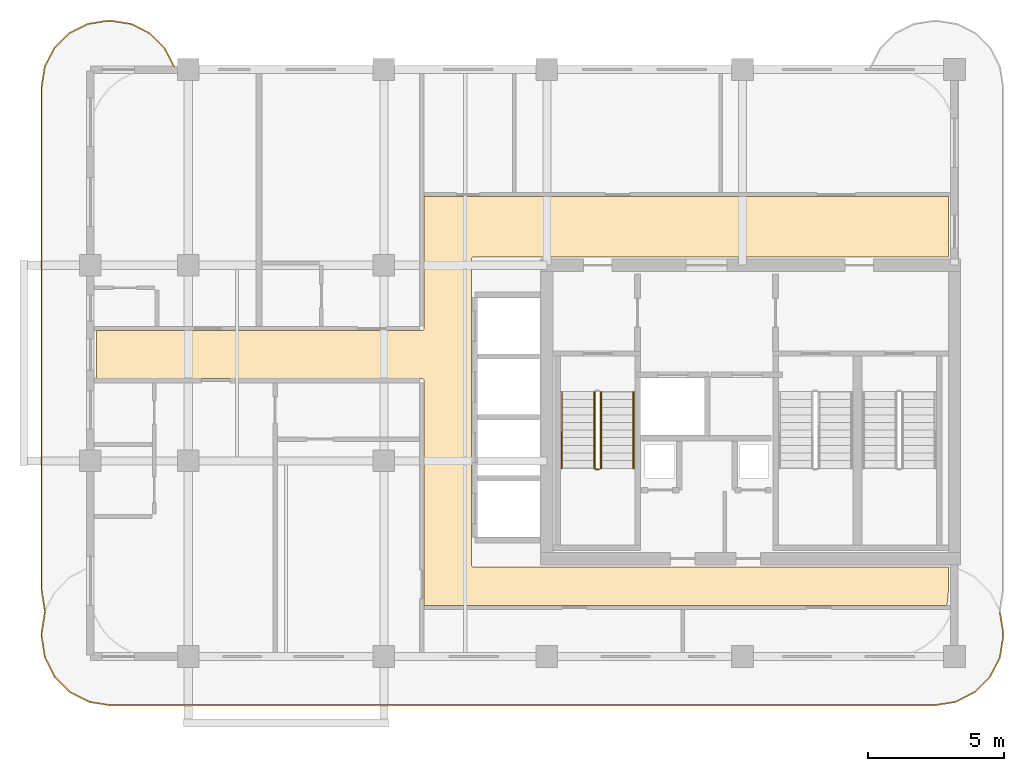
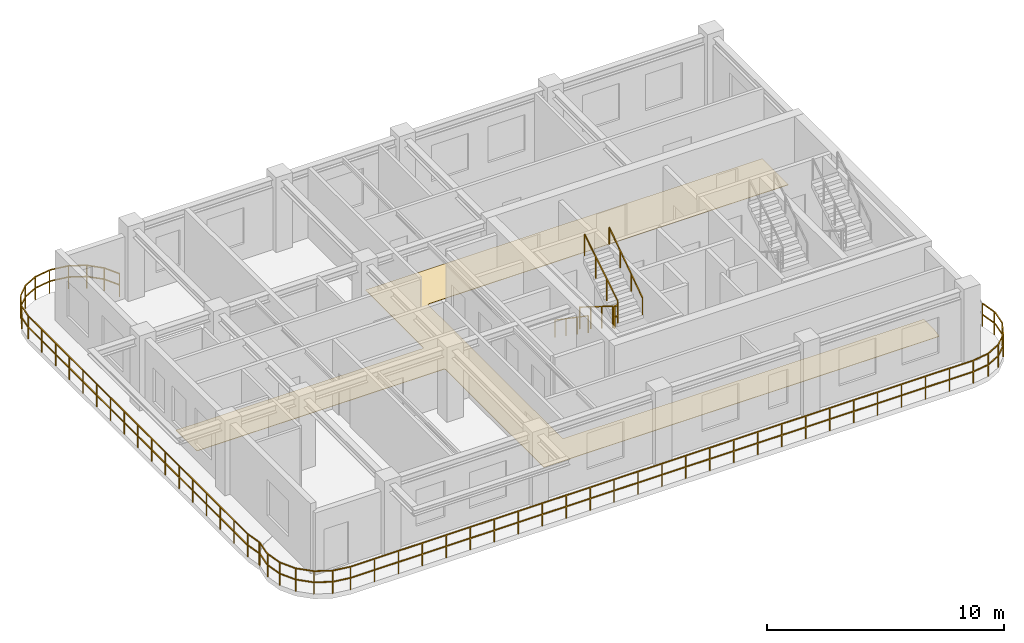
# One storey, part 6 of 7: 7 railings, 1 covering.
"""IFC4 building model written with IfcOpenShell, lengths in metres."""

from ifc_helpers import new_model, si_unit, derived_unit, direction, frame, origin, origin_2d, place, context, subcontext, project, spatial, polyline, rectangle, outline, extrude, material, layer, layer_set, type_object, element, save


model = new_model("IFC4")

# Units and contexts
model_context = context("Model", 3, precision=1e-05, world=origin(), true_north=direction((0.0, 1.0)))
body_context = subcontext(model_context, "Body", "Model", "MODEL_VIEW")
ifc_project = project(units=[si_unit("LENGTHUNIT", "METRE"), si_unit("AREAUNIT", "SQUARE_METRE"), si_unit("VOLUMEUNIT", "CUBIC_METRE"), si_unit("PLANEANGLEUNIT", "RADIAN"), si_unit("MASSUNIT", "GRAM", prefix="KILO"), si_unit("THERMODYNAMICTEMPERATUREUNIT", "KELVIN"), si_unit("POWERUNIT", "WATT"), derived_unit("THERMALTRANSMITTANCEUNIT", [(si_unit("POWERUNIT", "WATT"), 1), (si_unit("AREAUNIT", "SQUARE_METRE"), -1), (si_unit("THERMODYNAMICTEMPERATUREUNIT", "KELVIN"), -1)])], contexts=[model_context])

# Site, building, storey
site_placement = place(None, origin())
site = spatial("IfcSite", under=ifc_project, at=site_placement, CompositionType="ELEMENT")
building_placement = place(site_placement, origin())
building = spatial("IfcBuilding", under=site, at=building_placement, Name="Zahravan Archway Hotel and Residences", CompositionType="ELEMENT")
storey_placement = place(building_placement, frame((0.0, 0.0, 259.64990234375)))
storey = spatial("IfcBuildingStorey", under=building, at=storey_placement, Name="L65", CompositionType="ELEMENT", Elevation=259.64990234375)

# Covering
ifc_material_1 = material(Name="Engineered Walnut Parquet Flooring")
ifc_layer = layer(ifc_material_1, 0.02197265625, Name="Engineered Walnut Parquet Flooring")
ifc_layer_set = layer_set([ifc_layer], Name="Engineered Walnut Parquet Flooring")
covering_type = type_object("IfcCoveringType", Name="COV-FLR-TIMB", PredefinedType="FLOORING", material=ifc_layer_set)
covering_placement = place(storey_placement, origin())
element("IfcCovering", 1, at=covering_placement, inside=storey, type_object=covering_type, Name="L65 Circulation Floor Finish", PredefinedType="FLOORING", context=body_context, shape_type="SweptSolid", body=[
    extrude(outline(polyline([(30.215576171875, 11.991455078125), (30.256591796875, 12.013427734375), (30.278564453125, 12.054443359375), (30.280029296875, 16.919921875), (49.580078125, 16.919921875), (49.580078125, 14.705078125), (32.10009765625, 14.705078125), (32.0556640625, 14.69140625), (32.026123046875, 14.655517578125), (32.02001953125, 3.375), (32.033447265625, 3.33056640625), (32.0693359375, 3.301025390625), (49.580078125, 3.294921875), (49.580078125, 2.410888671875), (49.537109375, 1.974853515625), (49.50830078125, 1.8798828125), (30.280029296875, 1.8798828125), (30.280029296875, 10.14990234375), (30.2666015625, 10.1943359375), (30.230712890625, 10.223876953125), (18.219970703125, 10.22998046875), (18.219970703125, 11.989990234375), (30.199951171875, 11.989990234375), (30.215576171875, 11.991455078125)])), origin(), (0.0, 0.0, 1.0), 0.022216796875),
])

# Railings
ifc_material_2 = material(Name="Bronze & Laminated Glass Balustrade", Category="glass")
railing_type_1 = type_object("IfcRailingType", Name="RL-BAL-1200", PredefinedType="BALUSTRADE", material=ifc_material_2)
railing_1_placement = place(storey_placement, frame((51.47509765625, 1.637939453125, 0.0)))
element("IfcRailing", 2, at=railing_1_placement, inside=storey, type_object=railing_type_1, Name="L65 Balustrade RL-SLB-BAL-L65-SA-1", PredefinedType="BALUSTRADE", context=body_context, shape_type="SweptSolid", body=[
    extrude(rectangle(XDim=0.048095703125, YDim=0.048095703125, at=origin_2d()), frame((0.0, 0.0, 1.17578125), z_axis=(0.156701202656, -0.987646056584, 0.0), x_axis=(0.987646056584, 0.156701202656, 0.0)), (0.0, 0.0, 1.0), 0.797607421875),
    extrude(rectangle(XDim=0.048095703125, YDim=0.048095703125, at=origin_2d()), frame((0.0, 0.0, 0.60009765625), z_axis=(0.156701202656, -0.987646056584, 0.0), x_axis=(0.987646056584, 0.156701202656, 0.0)), (0.0, 0.0, 1.0), 0.797607421875),
    extrude(rectangle(XDim=0.048095703125, YDim=0.048095703125, at=origin_2d()), frame((0.125, -0.787841796875, 1.17578125), z_axis=(0.0, -1.0, 0.0), x_axis=(1.0, 0.0, 0.0)), (0.0, 0.0, 1.0), 0.10009765625),
    extrude(rectangle(XDim=0.048095703125, YDim=0.048095703125, at=origin_2d()), frame((0.125, -0.787841796875, 0.60009765625), z_axis=(0.0, -1.0, 0.0), x_axis=(1.0, 0.0, 0.0)), (0.0, 0.0, 1.0), 0.10009765625),
    extrude(rectangle(XDim=0.048095703125, YDim=0.048095703125, at=origin_2d()), frame((0.125, -0.887939453125, 1.17578125), z_axis=(-0.156653849773, -0.98765356849, 0.0), x_axis=(0.98765356849, -0.156653849773, 0.0)), (0.0, 0.0, 1.0), 0.7978515625),
    extrude(rectangle(XDim=0.048095703125, YDim=0.048095703125, at=origin_2d()), frame((0.125, -0.887939453125, 0.60009765625), z_axis=(-0.156653849773, -0.98765356849, 0.0), x_axis=(0.98765356849, -0.156653849773, 0.0)), (0.0, 0.0, 1.0), 0.7978515625),
    extrude(rectangle(XDim=0.048095703125, YDim=0.048095703125, at=origin_2d()), frame((0.0, -1.676025390625, 1.17578125), z_axis=(-0.453934952053, -0.891034824967, 0.0), x_axis=(0.891034824967, -0.453934952053, 0.0)), (0.0, 0.0, 1.0), 0.797607421875),
    extrude(rectangle(XDim=0.048095703125, YDim=0.048095703125, at=origin_2d()), frame((0.0, -1.676025390625, 0.60009765625), z_axis=(-0.453934952053, -0.891034824967, 0.0), x_axis=(0.891034824967, -0.453934952053, 0.0)), (0.0, 0.0, 1.0), 0.797607421875),
    extrude(rectangle(XDim=0.048095703125, YDim=0.048095703125, at=origin_2d()), frame((-0.362060546875, -2.38671875, 1.17578125), z_axis=(-0.707106781187, -0.707106781187, 0.0), x_axis=(0.707106781187, -0.707106781187, 0.0)), (0.0, 0.0, 1.0), 0.7978515625),
    extrude(rectangle(XDim=0.048095703125, YDim=0.048095703125, at=origin_2d()), frame((-0.362060546875, -2.38671875, 0.60009765625), z_axis=(-0.707106781187, -0.707106781187, 0.0), x_axis=(0.707106781187, -0.707106781187, 0.0)), (0.0, 0.0, 1.0), 0.7978515625),
    extrude(rectangle(XDim=0.048095703125, YDim=0.048095703125, at=origin_2d()), frame((-0.92626953125, -2.950927734375, 1.17578125), z_axis=(-0.890974108706, -0.454054113091, 0.0), x_axis=(0.454054113091, -0.890974108706, 0.0)), (0.0, 0.0, 1.0), 0.7978515625),
    extrude(rectangle(XDim=0.048095703125, YDim=0.048095703125, at=origin_2d()), frame((-0.92626953125, -2.950927734375, 0.60009765625), z_axis=(-0.890974108706, -0.454054113091, 0.0), x_axis=(0.454054113091, -0.890974108706, 0.0)), (0.0, 0.0, 1.0), 0.7978515625),
    extrude(rectangle(XDim=0.048095703125, YDim=0.048095703125, at=origin_2d()), frame((-1.63720703125, -3.313232421875, 1.17578125), z_axis=(-0.987693380745, -0.156402639467, 0.0), x_axis=(0.156402639467, -0.987693380745, 0.0)), (0.0, 0.0, 1.0), 0.797607421875),
    extrude(rectangle(XDim=0.048095703125, YDim=0.048095703125, at=origin_2d()), frame((-1.63720703125, -3.313232421875, 0.60009765625), z_axis=(-0.987693380745, -0.156402639467, 0.0), x_axis=(0.156402639467, -0.987693380745, 0.0)), (0.0, 0.0, 1.0), 0.797607421875),
    extrude(rectangle(XDim=0.048095703125, YDim=0.048095703125, at=origin_2d()), frame((-2.425048828125, -3.43798828125, 1.17578125), z_axis=(-1.0, 0.0, 0.0), x_axis=(0.0, -1.0, 0.0)), (0.0, 0.0, 1.0), 30.300048828125),
    extrude(rectangle(XDim=0.048095703125, YDim=0.048095703125, at=origin_2d()), frame((-2.425048828125, -3.43798828125, 0.60009765625), z_axis=(-1.0, 0.0, 0.0), x_axis=(0.0, -1.0, 0.0)), (0.0, 0.0, 1.0), 30.300048828125),
    extrude(rectangle(XDim=0.048095703125, YDim=0.048095703125, at=origin_2d()), frame((-32.72509765625, -3.43798828125, 1.17578125), z_axis=(-0.987700864412, 0.156355372278, 0.0), x_axis=(-0.156355372278, -0.987700864412, 0.0)), (0.0, 0.0, 1.0), 0.7978515625),
    extrude(rectangle(XDim=0.048095703125, YDim=0.048095703125, at=origin_2d()), frame((-32.72509765625, -3.43798828125, 0.60009765625), z_axis=(-0.987700864412, 0.156355372278, 0.0), x_axis=(-0.156355372278, -0.987700864412, 0.0)), (0.0, 0.0, 1.0), 0.7978515625),
    extrude(rectangle(XDim=0.048095703125, YDim=0.048095703125, at=origin_2d()), frame((-33.51318359375, -3.313232421875, 1.17578125), z_axis=(-0.890911003302, 0.454177921299, 0.0), x_axis=(-0.454177921299, -0.890911003302, 0.0)), (0.0, 0.0, 1.0), 0.797607421875),
    extrude(rectangle(XDim=0.048095703125, YDim=0.048095703125, at=origin_2d()), frame((-33.51318359375, -3.313232421875, 0.60009765625), z_axis=(-0.890911003302, 0.454177921299, 0.0), x_axis=(-0.454177921299, -0.890911003302, 0.0)), (0.0, 0.0, 1.0), 0.797607421875),
    extrude(rectangle(XDim=0.048095703125, YDim=0.048095703125, at=origin_2d()), frame((-34.223876953125, -2.950927734375, 1.17578125), z_axis=(-0.707106781187, 0.707106781187, 0.0), x_axis=(-0.707106781187, -0.707106781187, 0.0)), (0.0, 0.0, 1.0), 0.7978515625),
    extrude(rectangle(XDim=0.048095703125, YDim=0.048095703125, at=origin_2d()), frame((-34.223876953125, -2.950927734375, 0.60009765625), z_axis=(-0.707106781187, 0.707106781187, 0.0), x_axis=(-0.707106781187, -0.707106781187, 0.0)), (0.0, 0.0, 1.0), 0.7978515625),
    extrude(rectangle(XDim=0.048095703125, YDim=0.048095703125, at=origin_2d()), frame((-34.7880859375, -2.38671875, 1.17578125), z_axis=(-0.454177921299, 0.890911003302, 0.0), x_axis=(-0.890911003302, -0.454177921299, 0.0)), (0.0, 0.0, 1.0), 0.797607421875),
    extrude(rectangle(XDim=0.048095703125, YDim=0.048095703125, at=origin_2d()), frame((-34.7880859375, -2.38671875, 0.60009765625), z_axis=(-0.454177921299, 0.890911003302, 0.0), x_axis=(-0.890911003302, -0.454177921299, 0.0)), (0.0, 0.0, 1.0), 0.797607421875),
    extrude(rectangle(XDim=0.048095703125, YDim=0.048095703125, at=origin_2d()), frame((-35.150390625, -1.676025390625, 1.17578125), z_axis=(-0.156355372278, 0.987700864412, 0.0), x_axis=(-0.987700864412, -0.156355372278, 0.0)), (0.0, 0.0, 1.0), 0.7978515625),
    extrude(rectangle(XDim=0.048095703125, YDim=0.048095703125, at=origin_2d()), frame((-35.150390625, -1.676025390625, 0.60009765625), z_axis=(-0.156355372278, 0.987700864412, 0.0), x_axis=(-0.987700864412, -0.156355372278, 0.0)), (0.0, 0.0, 1.0), 0.7978515625),
    extrude(rectangle(XDim=0.048095703125, YDim=0.048095703125, at=origin_2d()), frame((-35.275146484375, -0.887939453125, 1.17578125), z_axis=(0.0, 1.0, 0.0), x_axis=(-1.0, 0.0, 0.0)), (0.0, 0.0, 1.0), 0.10009765625),
    extrude(rectangle(XDim=0.048095703125, YDim=0.048095703125, at=origin_2d()), frame((-35.275146484375, -0.887939453125, 0.60009765625), z_axis=(0.0, 1.0, 0.0), x_axis=(-1.0, 0.0, 0.0)), (0.0, 0.0, 1.0), 0.10009765625),
    extrude(rectangle(XDim=0.048095703125, YDim=0.048095703125, at=origin_2d()), frame((-35.275146484375, -0.787841796875, 1.17578125), z_axis=(0.156402639467, 0.987693380745, 0.0), x_axis=(-0.987693380745, 0.156402639467, 0.0)), (0.0, 0.0, 1.0), 0.797607421875),
    extrude(rectangle(XDim=0.048095703125, YDim=0.048095703125, at=origin_2d()), frame((-35.275146484375, -0.787841796875, 0.60009765625), z_axis=(0.156402639467, 0.987693380745, 0.0), x_axis=(-0.987693380745, 0.156402639467, 0.0)), (0.0, 0.0, 1.0), 0.797607421875),
    extrude(rectangle(XDim=0.0419921875, YDim=0.0419921875, at=origin_2d()), origin(), (0.0, 0.0, 1.0), 1.15185546875),
    extrude(rectangle(XDim=0.0419921875, YDim=0.0419921875, at=origin_2d()), frame((0.125, -0.787841796875, 0.0)), (0.0, 0.0, 1.0), 1.15185546875),
    extrude(rectangle(XDim=0.0419921875, YDim=0.0419921875, at=origin_2d()), frame((0.0, -1.676025390625, 0.0)), (0.0, 0.0, 1.0), 1.15185546875),
    extrude(rectangle(XDim=0.0419921875, YDim=0.0419921875, at=origin_2d()), frame((-0.362060546875, -2.38671875, 0.0)), (0.0, 0.0, 1.0), 1.15185546875),
    extrude(rectangle(XDim=0.0419921875, YDim=0.0419921875, at=origin_2d()), frame((-0.92626953125, -2.950927734375, 0.0)), (0.0, 0.0, 1.0), 1.15185546875),
    extrude(rectangle(XDim=0.0419921875, YDim=0.0419921875, at=origin_2d()), frame((-1.63720703125, -3.313232421875, 0.0)), (0.0, 0.0, 1.0), 1.15185546875),
    extrude(rectangle(XDim=0.0419921875, YDim=0.0419921875, at=origin_2d()), frame((-2.425048828125, -3.43798828125, 0.0)), (0.0, 0.0, 1.0), 1.15185546875),
    extrude(rectangle(XDim=0.0419921875, YDim=0.0419921875, at=origin_2d()), frame((-3.59033203125, -3.43798828125, 0.0)), (0.0, 0.0, 1.0), 1.15185546875),
    extrude(rectangle(XDim=0.0419921875, YDim=0.0419921875, at=origin_2d()), frame((-4.755859375, -3.43798828125, 0.0)), (0.0, 0.0, 1.0), 1.15185546875),
    extrude(rectangle(XDim=0.0419921875, YDim=0.0419921875, at=origin_2d()), frame((-5.921142578125, -3.43798828125, 0.0)), (0.0, 0.0, 1.0), 1.15185546875),
    extrude(rectangle(XDim=0.0419921875, YDim=0.0419921875, at=origin_2d()), frame((-7.086669921875, -3.43798828125, 0.0)), (0.0, 0.0, 1.0), 1.15185546875),
    extrude(rectangle(XDim=0.0419921875, YDim=0.0419921875, at=origin_2d()), frame((-8.251953125, -3.43798828125, 0.0)), (0.0, 0.0, 1.0), 1.15185546875),
    extrude(rectangle(XDim=0.0419921875, YDim=0.0419921875, at=origin_2d()), frame((-9.41748046875, -3.43798828125, 0.0)), (0.0, 0.0, 1.0), 1.15185546875),
    extrude(rectangle(XDim=0.0419921875, YDim=0.0419921875, at=origin_2d()), frame((-10.582763671875, -3.43798828125, 0.0)), (0.0, 0.0, 1.0), 1.15185546875),
    extrude(rectangle(XDim=0.0419921875, YDim=0.0419921875, at=origin_2d()), frame((-11.748046875, -3.43798828125, 0.0)), (0.0, 0.0, 1.0), 1.15185546875),
    extrude(rectangle(XDim=0.0419921875, YDim=0.0419921875, at=origin_2d()), frame((-12.91357421875, -3.43798828125, 0.0)), (0.0, 0.0, 1.0), 1.15185546875),
    extrude(rectangle(XDim=0.0419921875, YDim=0.0419921875, at=origin_2d()), frame((-14.078857421875, -3.43798828125, 0.0)), (0.0, 0.0, 1.0), 1.15185546875),
    extrude(rectangle(XDim=0.0419921875, YDim=0.0419921875, at=origin_2d()), frame((-15.244384765625, -3.43798828125, 0.0)), (0.0, 0.0, 1.0), 1.15185546875),
    extrude(rectangle(XDim=0.0419921875, YDim=0.0419921875, at=origin_2d()), frame((-16.40966796875, -3.43798828125, 0.0)), (0.0, 0.0, 1.0), 1.15185546875),
    extrude(rectangle(XDim=0.0419921875, YDim=0.0419921875, at=origin_2d()), frame((-17.5751953125, -3.43798828125, 0.0)), (0.0, 0.0, 1.0), 1.15185546875),
    extrude(rectangle(XDim=0.0419921875, YDim=0.0419921875, at=origin_2d()), frame((-18.740478515625, -3.43798828125, 0.0)), (0.0, 0.0, 1.0), 1.15185546875),
    extrude(rectangle(XDim=0.0419921875, YDim=0.0419921875, at=origin_2d()), frame((-19.90576171875, -3.43798828125, 0.0)), (0.0, 0.0, 1.0), 1.15185546875),
    extrude(rectangle(XDim=0.0419921875, YDim=0.0419921875, at=origin_2d()), frame((-21.0712890625, -3.43798828125, 0.0)), (0.0, 0.0, 1.0), 1.15185546875),
    extrude(rectangle(XDim=0.0419921875, YDim=0.0419921875, at=origin_2d()), frame((-22.236572265625, -3.43798828125, 0.0)), (0.0, 0.0, 1.0), 1.15185546875),
    extrude(rectangle(XDim=0.0419921875, YDim=0.0419921875, at=origin_2d()), frame((-23.402099609375, -3.43798828125, 0.0)), (0.0, 0.0, 1.0), 1.15185546875),
    extrude(rectangle(XDim=0.0419921875, YDim=0.0419921875, at=origin_2d()), frame((-24.5673828125, -3.43798828125, 0.0)), (0.0, 0.0, 1.0), 1.15185546875),
    extrude(rectangle(XDim=0.0419921875, YDim=0.0419921875, at=origin_2d()), frame((-25.732666015625, -3.43798828125, 0.0)), (0.0, 0.0, 1.0), 1.15185546875),
    extrude(rectangle(XDim=0.0419921875, YDim=0.0419921875, at=origin_2d()), frame((-26.898193359375, -3.43798828125, 0.0)), (0.0, 0.0, 1.0), 1.15185546875),
    extrude(rectangle(XDim=0.0419921875, YDim=0.0419921875, at=origin_2d()), frame((-28.0634765625, -3.43798828125, 0.0)), (0.0, 0.0, 1.0), 1.15185546875),
    extrude(rectangle(XDim=0.0419921875, YDim=0.0419921875, at=origin_2d()), frame((-29.22900390625, -3.43798828125, 0.0)), (0.0, 0.0, 1.0), 1.15185546875),
    extrude(rectangle(XDim=0.0419921875, YDim=0.0419921875, at=origin_2d()), frame((-30.394287109375, -3.43798828125, 0.0)), (0.0, 0.0, 1.0), 1.15185546875),
    extrude(rectangle(XDim=0.0419921875, YDim=0.0419921875, at=origin_2d()), frame((-31.559814453125, -3.43798828125, 0.0)), (0.0, 0.0, 1.0), 1.15185546875),
    extrude(rectangle(XDim=0.0419921875, YDim=0.0419921875, at=origin_2d()), frame((-32.72509765625, -3.43798828125, 0.0)), (0.0, 0.0, 1.0), 1.15185546875),
    extrude(rectangle(XDim=0.0419921875, YDim=0.0419921875, at=origin_2d()), frame((-33.51318359375, -3.313232421875, 0.0)), (0.0, 0.0, 1.0), 1.15185546875),
    extrude(rectangle(XDim=0.0419921875, YDim=0.0419921875, at=origin_2d()), frame((-34.223876953125, -2.950927734375, 0.0)), (0.0, 0.0, 1.0), 1.15185546875),
    extrude(rectangle(XDim=0.0419921875, YDim=0.0419921875, at=origin_2d()), frame((-34.7880859375, -2.38671875, 0.0)), (0.0, 0.0, 1.0), 1.15185546875),
    extrude(rectangle(XDim=0.0419921875, YDim=0.0419921875, at=origin_2d()), frame((-35.150390625, -1.676025390625, 0.0)), (0.0, 0.0, 1.0), 1.15185546875),
    extrude(rectangle(XDim=0.0419921875, YDim=0.0419921875, at=origin_2d()), frame((-35.275146484375, -0.887939453125, 0.0)), (0.0, 0.0, 1.0), 1.15185546875),
    extrude(rectangle(XDim=0.0419921875, YDim=0.0419921875, at=origin_2d()), frame((-35.150390625, 0.0, 0.0)), (0.0, 0.0, 1.0), 1.15185546875),
])
railing_2_placement = place(storey_placement, frame((16.31982421875, 1.69287109375, 0.0)))
element("IfcRailing", 3, at=railing_2_placement, inside=storey, type_object=railing_type_1, Name="L65 Balustrade RL-SLB-BAL-L65-WA-1", PredefinedType="BALUSTRADE", context=body_context, shape_type="SweptSolid", body=[
    extrude(rectangle(XDim=0.048095703125, YDim=0.048095703125, at=origin_2d()), frame((0.0, 0.0, 1.17578125), z_axis=(-0.156387811283, 0.987695728695, 0.0), x_axis=(-0.987695728695, -0.156387811283, 0.0)), (0.0, 0.0, 1.0), 0.7666015625),
    extrude(rectangle(XDim=0.048095703125, YDim=0.048095703125, at=origin_2d()), frame((0.0, 0.0, 0.60009765625), z_axis=(-0.156387811283, 0.987695728695, 0.0), x_axis=(-0.987695728695, -0.156387811283, 0.0)), (0.0, 0.0, 1.0), 0.7666015625),
    extrude(rectangle(XDim=0.048095703125, YDim=0.048095703125, at=origin_2d()), frame((-0.119873046875, 0.757080078125, 1.17578125), z_axis=(0.0, 1.0, 0.0), x_axis=(-1.0, 0.0, 0.0)), (0.0, 0.0, 1.0), 18.5),
    extrude(rectangle(XDim=0.048095703125, YDim=0.048095703125, at=origin_2d()), frame((-0.119873046875, 0.757080078125, 0.60009765625), z_axis=(0.0, 1.0, 0.0), x_axis=(-1.0, 0.0, 0.0)), (0.0, 0.0, 1.0), 18.5),
    extrude(rectangle(XDim=0.048095703125, YDim=0.048095703125, at=origin_2d()), frame((-0.119873046875, 19.257080078125, 1.17578125), z_axis=(0.156387811283, 0.987695728695, 0.0), x_axis=(-0.987695728695, 0.156387811283, 0.0)), (0.0, 0.0, 1.0), 0.7666015625),
    extrude(rectangle(XDim=0.048095703125, YDim=0.048095703125, at=origin_2d()), frame((-0.119873046875, 19.257080078125, 0.60009765625), z_axis=(0.156387811283, 0.987695728695, 0.0), x_axis=(-0.987695728695, 0.156387811283, 0.0)), (0.0, 0.0, 1.0), 0.7666015625),
    extrude(rectangle(XDim=0.048095703125, YDim=0.048095703125, at=origin_2d()), frame((0.0, 20.01416015625, 1.17578125), z_axis=(0.454078418624, 0.890961721815, 0.0), x_axis=(-0.890961721815, 0.454078418624, 0.0)), (0.0, 0.0, 1.0), 0.7666015625),
    extrude(rectangle(XDim=0.048095703125, YDim=0.048095703125, at=origin_2d()), frame((0.0, 20.01416015625, 0.60009765625), z_axis=(0.454078418624, 0.890961721815, 0.0), x_axis=(-0.890961721815, 0.454078418624, 0.0)), (0.0, 0.0, 1.0), 0.7666015625),
    extrude(rectangle(XDim=0.048095703125, YDim=0.048095703125, at=origin_2d()), frame((0.34814453125, 20.697265625, 1.17578125), z_axis=(0.707106781187, 0.707106781187, 0.0), x_axis=(-0.707106781187, 0.707106781187, 0.0)), (0.0, 0.0, 1.0), 0.7666015625),
    extrude(rectangle(XDim=0.048095703125, YDim=0.048095703125, at=origin_2d()), frame((0.34814453125, 20.697265625, 0.60009765625), z_axis=(0.707106781187, 0.707106781187, 0.0), x_axis=(-0.707106781187, 0.707106781187, 0.0)), (0.0, 0.0, 1.0), 0.7666015625),
    extrude(rectangle(XDim=0.048095703125, YDim=0.048095703125, at=origin_2d()), frame((0.89013671875, 21.2392578125, 1.17578125), z_axis=(0.891024909783, 0.453954414172, 0.0), x_axis=(-0.453954414172, 0.891024909783, 0.0)), (0.0, 0.0, 1.0), 0.766357421875),
    extrude(rectangle(XDim=0.048095703125, YDim=0.048095703125, at=origin_2d()), frame((0.89013671875, 21.2392578125, 0.60009765625), z_axis=(0.891024909783, 0.453954414172, 0.0), x_axis=(-0.453954414172, 0.891024909783, 0.0)), (0.0, 0.0, 1.0), 0.766357421875),
    extrude(rectangle(XDim=0.048095703125, YDim=0.048095703125, at=origin_2d()), frame((1.572998046875, 21.587158203125, 1.17578125), z_axis=(0.987695728695, 0.156387811283, 0.0), x_axis=(-0.156387811283, 0.987695728695, 0.0)), (0.0, 0.0, 1.0), 0.7666015625),
    extrude(rectangle(XDim=0.048095703125, YDim=0.048095703125, at=origin_2d()), frame((1.572998046875, 21.587158203125, 0.60009765625), z_axis=(0.987695728695, 0.156387811283, 0.0), x_axis=(-0.156387811283, 0.987695728695, 0.0)), (0.0, 0.0, 1.0), 0.7666015625),
    extrude(rectangle(XDim=0.048095703125, YDim=0.048095703125, at=origin_2d()), frame((2.330078125, 21.70703125, 1.17578125), z_axis=(1.0, 0.0, 0.0), x_axis=(0.0, 1.0, 0.0)), (0.0, 0.0, 1.0), 0.10009765625),
    extrude(rectangle(XDim=0.048095703125, YDim=0.048095703125, at=origin_2d()), frame((2.330078125, 21.70703125, 0.60009765625), z_axis=(1.0, 0.0, 0.0), x_axis=(0.0, 1.0, 0.0)), (0.0, 0.0, 1.0), 0.10009765625),
    extrude(rectangle(XDim=0.048095703125, YDim=0.048095703125, at=origin_2d()), frame((2.43017578125, 21.70703125, 1.17578125), z_axis=(0.987695728695, -0.156387811283, 0.0), x_axis=(0.156387811283, 0.987695728695, 0.0)), (0.0, 0.0, 1.0), 0.7666015625),
    extrude(rectangle(XDim=0.048095703125, YDim=0.048095703125, at=origin_2d()), frame((2.43017578125, 21.70703125, 0.60009765625), z_axis=(0.987695728695, -0.156387811283, 0.0), x_axis=(0.156387811283, 0.987695728695, 0.0)), (0.0, 0.0, 1.0), 0.7666015625),
    extrude(rectangle(XDim=0.048095703125, YDim=0.048095703125, at=origin_2d()), frame((3.187255859375, 21.587158203125, 1.17578125), z_axis=(0.891090529897, -0.453825591531, 0.0), x_axis=(0.453825591531, 0.891090529897, 0.0)), (0.0, 0.0, 1.0), 0.7666015625),
    extrude(rectangle(XDim=0.048095703125, YDim=0.048095703125, at=origin_2d()), frame((3.187255859375, 21.587158203125, 0.60009765625), z_axis=(0.891090529897, -0.453825591531, 0.0), x_axis=(0.453825591531, 0.891090529897, 0.0)), (0.0, 0.0, 1.0), 0.7666015625),
    extrude(rectangle(XDim=0.048095703125, YDim=0.048095703125, at=origin_2d()), frame((3.870361328125, 21.2392578125, 1.17578125), z_axis=(0.707106781187, -0.707106781187, 0.0), x_axis=(0.707106781187, 0.707106781187, 0.0)), (0.0, 0.0, 1.0), 0.7666015625),
    extrude(rectangle(XDim=0.048095703125, YDim=0.048095703125, at=origin_2d()), frame((3.870361328125, 21.2392578125, 0.60009765625), z_axis=(0.707106781187, -0.707106781187, 0.0), x_axis=(0.707106781187, 0.707106781187, 0.0)), (0.0, 0.0, 1.0), 0.7666015625),
    extrude(rectangle(XDim=0.048095703125, YDim=0.048095703125, at=origin_2d()), frame((4.412353515625, 20.697265625, 1.17578125), z_axis=(0.453825591531, -0.891090529897, 0.0), x_axis=(0.891090529897, 0.453825591531, 0.0)), (0.0, 0.0, 1.0), 0.7666015625),
    extrude(rectangle(XDim=0.048095703125, YDim=0.048095703125, at=origin_2d()), frame((4.412353515625, 20.697265625, 0.60009765625), z_axis=(0.453825591531, -0.891090529897, 0.0), x_axis=(0.891090529897, 0.453825591531, 0.0)), (0.0, 0.0, 1.0), 0.7666015625),
    extrude(rectangle(XDim=0.0419921875, YDim=0.0419921875, at=origin_2d()), origin(), (0.0, 0.0, 1.0), 1.15185546875),
    extrude(rectangle(XDim=0.0419921875, YDim=0.0419921875, at=origin_2d()), frame((-0.119873046875, 0.757080078125, 0.0)), (0.0, 0.0, 1.0), 1.15185546875),
    extrude(rectangle(XDim=0.0419921875, YDim=0.0419921875, at=origin_2d()), frame((-0.119873046875, 1.913330078125, 0.0)), (0.0, 0.0, 1.0), 1.15185546875),
    extrude(rectangle(XDim=0.0419921875, YDim=0.0419921875, at=origin_2d()), frame((-0.119873046875, 3.069580078125, 0.0)), (0.0, 0.0, 1.0), 1.15185546875),
    extrude(rectangle(XDim=0.0419921875, YDim=0.0419921875, at=origin_2d()), frame((-0.119873046875, 4.225830078125, 0.0)), (0.0, 0.0, 1.0), 1.15185546875),
    extrude(rectangle(XDim=0.0419921875, YDim=0.0419921875, at=origin_2d()), frame((-0.119873046875, 5.382080078125, 0.0)), (0.0, 0.0, 1.0), 1.15185546875),
    extrude(rectangle(XDim=0.0419921875, YDim=0.0419921875, at=origin_2d()), frame((-0.119873046875, 6.538330078125, 0.0)), (0.0, 0.0, 1.0), 1.15185546875),
    extrude(rectangle(XDim=0.0419921875, YDim=0.0419921875, at=origin_2d()), frame((-0.119873046875, 7.694580078125, 0.0)), (0.0, 0.0, 1.0), 1.15185546875),
    extrude(rectangle(XDim=0.0419921875, YDim=0.0419921875, at=origin_2d()), frame((-0.119873046875, 8.850830078125, 0.0)), (0.0, 0.0, 1.0), 1.15185546875),
    extrude(rectangle(XDim=0.0419921875, YDim=0.0419921875, at=origin_2d()), frame((-0.119873046875, 10.007080078125, 0.0)), (0.0, 0.0, 1.0), 1.15185546875),
    extrude(rectangle(XDim=0.0419921875, YDim=0.0419921875, at=origin_2d()), frame((-0.119873046875, 11.163330078125, 0.0)), (0.0, 0.0, 1.0), 1.15185546875),
    extrude(rectangle(XDim=0.0419921875, YDim=0.0419921875, at=origin_2d()), frame((-0.119873046875, 12.319580078125, 0.0)), (0.0, 0.0, 1.0), 1.15185546875),
    extrude(rectangle(XDim=0.0419921875, YDim=0.0419921875, at=origin_2d()), frame((-0.119873046875, 13.475830078125, 0.0)), (0.0, 0.0, 1.0), 1.15185546875),
    extrude(rectangle(XDim=0.0419921875, YDim=0.0419921875, at=origin_2d()), frame((-0.119873046875, 14.632080078125, 0.0)), (0.0, 0.0, 1.0), 1.15185546875),
    extrude(rectangle(XDim=0.0419921875, YDim=0.0419921875, at=origin_2d()), frame((-0.119873046875, 15.788330078125, 0.0)), (0.0, 0.0, 1.0), 1.15185546875),
    extrude(rectangle(XDim=0.0419921875, YDim=0.0419921875, at=origin_2d()), frame((-0.119873046875, 16.944580078125, 0.0)), (0.0, 0.0, 1.0), 1.15185546875),
    extrude(rectangle(XDim=0.0419921875, YDim=0.0419921875, at=origin_2d()), frame((-0.119873046875, 18.100830078125, 0.0)), (0.0, 0.0, 1.0), 1.15185546875),
    extrude(rectangle(XDim=0.0419921875, YDim=0.0419921875, at=origin_2d()), frame((-0.119873046875, 19.257080078125, 0.0)), (0.0, 0.0, 1.0), 1.15185546875),
    extrude(rectangle(XDim=0.0419921875, YDim=0.0419921875, at=origin_2d()), frame((0.0, 20.01416015625, 0.0)), (0.0, 0.0, 1.0), 1.15185546875),
    extrude(rectangle(XDim=0.0419921875, YDim=0.0419921875, at=origin_2d()), frame((0.34814453125, 20.697265625, 0.0)), (0.0, 0.0, 1.0), 1.15185546875),
    extrude(rectangle(XDim=0.0419921875, YDim=0.0419921875, at=origin_2d()), frame((0.89013671875, 21.2392578125, 0.0)), (0.0, 0.0, 1.0), 1.15185546875),
    extrude(rectangle(XDim=0.0419921875, YDim=0.0419921875, at=origin_2d()), frame((1.572998046875, 21.587158203125, 0.0)), (0.0, 0.0, 1.0), 1.15185546875),
    extrude(rectangle(XDim=0.0419921875, YDim=0.0419921875, at=origin_2d()), frame((2.330078125, 21.70703125, 0.0)), (0.0, 0.0, 1.0), 1.15185546875),
    extrude(rectangle(XDim=0.0419921875, YDim=0.0419921875, at=origin_2d()), frame((3.187255859375, 21.587158203125, 0.0)), (0.0, 0.0, 1.0), 1.15185546875),
    extrude(rectangle(XDim=0.0419921875, YDim=0.0419921875, at=origin_2d()), frame((3.870361328125, 21.2392578125, 0.0)), (0.0, 0.0, 1.0), 1.15185546875),
    extrude(rectangle(XDim=0.0419921875, YDim=0.0419921875, at=origin_2d()), frame((4.412353515625, 20.697265625, 0.0)), (0.0, 0.0, 1.0), 1.15185546875),
    extrude(rectangle(XDim=0.0419921875, YDim=0.0419921875, at=origin_2d()), frame((4.76025390625, 20.01416015625, 0.0)), (0.0, 0.0, 1.0), 1.15185546875),
])
ifc_material_3 = material(Name="Painted Tubular Steel", Category="steel")
railing_type_2 = type_object("IfcRailingType", Name="RL-STG-1150", PredefinedType="GUARDRAIL", material=ifc_material_3)
railing_3_placement = place(storey_placement, frame((36.550048828125, 9.72998046875, 0.175048828125)))
element("IfcRailing", 4, at=railing_3_placement, inside=storey, type_object=railing_type_2, Name="L65 ST-A1 stair guard 1", PredefinedType="GUARDRAIL", context=body_context, shape_type="SweptSolid", body=[
    extrude(rectangle(XDim=0.048095703125, YDim=0.048095703125, at=origin_2d()), frame((0.0, 0.0, 1.1259765625), z_axis=(0.0, -0.848002457836, 0.529992293815), x_axis=(1.0, 0.0, 0.0)), (0.0, 0.0, 1.0), 3.302001953125),
    extrude(rectangle(XDim=0.0419921875, YDim=0.0419921875, at=origin_2d()), origin(), (0.0, 0.0, 1.0), 1.101806640625),
    extrude(rectangle(XDim=0.0419921875, YDim=0.0419921875, at=origin_2d()), frame((0.0, -0.933349609375, 0.583251953125)), (0.0, 0.0, 1.0), 1.101806640625),
    extrude(rectangle(XDim=0.0419921875, YDim=0.0419921875, at=origin_2d()), frame((0.0, -1.86669921875, 1.166748046875)), (0.0, 0.0, 1.0), 1.101806640625),
    extrude(rectangle(XDim=0.0419921875, YDim=0.0419921875, at=origin_2d()), frame((0.0, -2.800048828125, 1.75)), (0.0, 0.0, 1.0), 1.101806640625),
])
railing_4_placement = place(storey_placement, frame((36.60009765625, 6.8798828125, 1.925048828125)))
element("IfcRailing", 5, at=railing_4_placement, inside=storey, type_object=railing_type_2, Name="L65 ST-A1 stair guard 2", PredefinedType="GUARDRAIL", context=body_context, shape_type="SweptSolid", body=[
    extrude(rectangle(XDim=0.048095703125, YDim=0.048095703125, at=origin_2d()), frame((0.0, 0.0, 1.1259765625), z_axis=(1.0, 0.0, 0.0), x_axis=(0.0, 1.0, 0.0)), (0.0, 0.0, 1.0), 0.139892578125),
    extrude(rectangle(XDim=0.048095703125, YDim=0.048095703125, at=origin_2d()), frame((0.0, 0.0, 0.574951171875), z_axis=(1.0, 0.0, 0.0), x_axis=(0.0, 1.0, 0.0)), (0.0, 0.0, 1.0), 0.139892578125),
    extrude(rectangle(XDim=0.0419921875, YDim=0.0419921875, at=origin_2d()), origin(), (0.0, 0.0, 1.0), 1.101806640625),
])
railing_5_placement = place(storey_placement, frame((36.7900390625, 6.929931640625, 2.10009765625)))
element("IfcRailing", 6, at=railing_5_placement, inside=storey, type_object=railing_type_2, Name="L65 ST-A1 stair guard 3", PredefinedType="GUARDRAIL", context=body_context, shape_type="SweptSolid", body=[
    extrude(rectangle(XDim=0.048095703125, YDim=0.048095703125, at=origin_2d()), frame((0.0, 0.0, 1.1259765625), z_axis=(0.0, 0.848002457836, 0.529992293815), x_axis=(-1.0, 0.0, 0.0)), (0.0, 0.0, 1.0), 3.302001953125),
    extrude(rectangle(XDim=0.0419921875, YDim=0.0419921875, at=origin_2d()), origin(), (0.0, 0.0, 1.0), 1.101806640625),
    extrude(rectangle(XDim=0.0419921875, YDim=0.0419921875, at=origin_2d()), frame((0.0, 0.933349609375, 0.583251953125)), (0.0, 0.0, 1.0), 1.101806640625),
    extrude(rectangle(XDim=0.0419921875, YDim=0.0419921875, at=origin_2d()), frame((0.0, 1.86669921875, 1.166748046875)), (0.0, 0.0, 1.0), 1.101806640625),
    extrude(rectangle(XDim=0.0419921875, YDim=0.0419921875, at=origin_2d()), frame((0.0, 2.800048828125, 1.75)), (0.0, 0.0, 1.0), 1.101806640625),
])
ifc_material_4 = material(Name="Brushed Stainless Steel", Category="steel")
railing_type_3 = type_object("IfcRailingType", Name="RL-STH-900", PredefinedType="HANDRAIL", material=ifc_material_4)
railing_6_placement = place(storey_placement, frame((35.35009765625, 9.72998046875, 0.175048828125)))
element("IfcRailing", 7, at=railing_6_placement, inside=storey, type_object=railing_type_3, Name="L65 ST-A1 stair handrail 1", PredefinedType="HANDRAIL", context=body_context, shape_type="SweptSolid", body=[
    extrude(rectangle(XDim=0.048095703125, YDim=0.048095703125, at=origin_2d()), frame((0.0, 0.0, 0.8759765625), z_axis=(0.0, -0.824039827795, 0.566531872191), x_axis=(1.0, 0.0, 0.0)), (0.0, 0.0, 1.0), 3.39794921875),
    extrude(rectangle(XDim=0.0419921875, YDim=0.0419921875, at=origin_2d()), origin(), (0.0, 0.0, 1.0), 0.851806640625),
    extrude(rectangle(XDim=0.0419921875, YDim=0.0419921875, at=origin_2d()), frame((0.0, -0.933349609375, 0.6416015625)), (0.0, 0.0, 1.0), 0.851806640625),
    extrude(rectangle(XDim=0.0419921875, YDim=0.0419921875, at=origin_2d()), frame((0.0, -1.86669921875, 1.283447265625)), (0.0, 0.0, 1.0), 0.851806640625),
    extrude(rectangle(XDim=0.0419921875, YDim=0.0419921875, at=origin_2d()), frame((0.0, -2.800048828125, 1.925048828125)), (0.0, 0.0, 1.0), 0.851806640625),
])
railing_7_placement = place(storey_placement, frame((37.989990234375, 6.929931640625, 2.10009765625)))
element("IfcRailing", 8, at=railing_7_placement, inside=storey, type_object=railing_type_3, Name="L65 ST-A1 stair handrail 2", PredefinedType="HANDRAIL", context=body_context, shape_type="SweptSolid", body=[
    extrude(rectangle(XDim=0.048095703125, YDim=0.048095703125, at=origin_2d()), frame((0.0, 0.0, 0.8759765625), z_axis=(0.0, 0.824039827795, 0.566531872191), x_axis=(-1.0, 0.0, 0.0)), (0.0, 0.0, 1.0), 3.39794921875),
    extrude(rectangle(XDim=0.0419921875, YDim=0.0419921875, at=origin_2d()), origin(), (0.0, 0.0, 1.0), 0.851806640625),
    extrude(rectangle(XDim=0.0419921875, YDim=0.0419921875, at=origin_2d()), frame((0.0, 0.933349609375, 0.6416015625)), (0.0, 0.0, 1.0), 0.851806640625),
    extrude(rectangle(XDim=0.0419921875, YDim=0.0419921875, at=origin_2d()), frame((0.0, 1.86669921875, 1.283447265625)), (0.0, 0.0, 1.0), 0.851806640625),
    extrude(rectangle(XDim=0.0419921875, YDim=0.0419921875, at=origin_2d()), frame((0.0, 2.800048828125, 1.925048828125)), (0.0, 0.0, 1.0), 0.851806640625),
])

save(model, "model.ifc")
